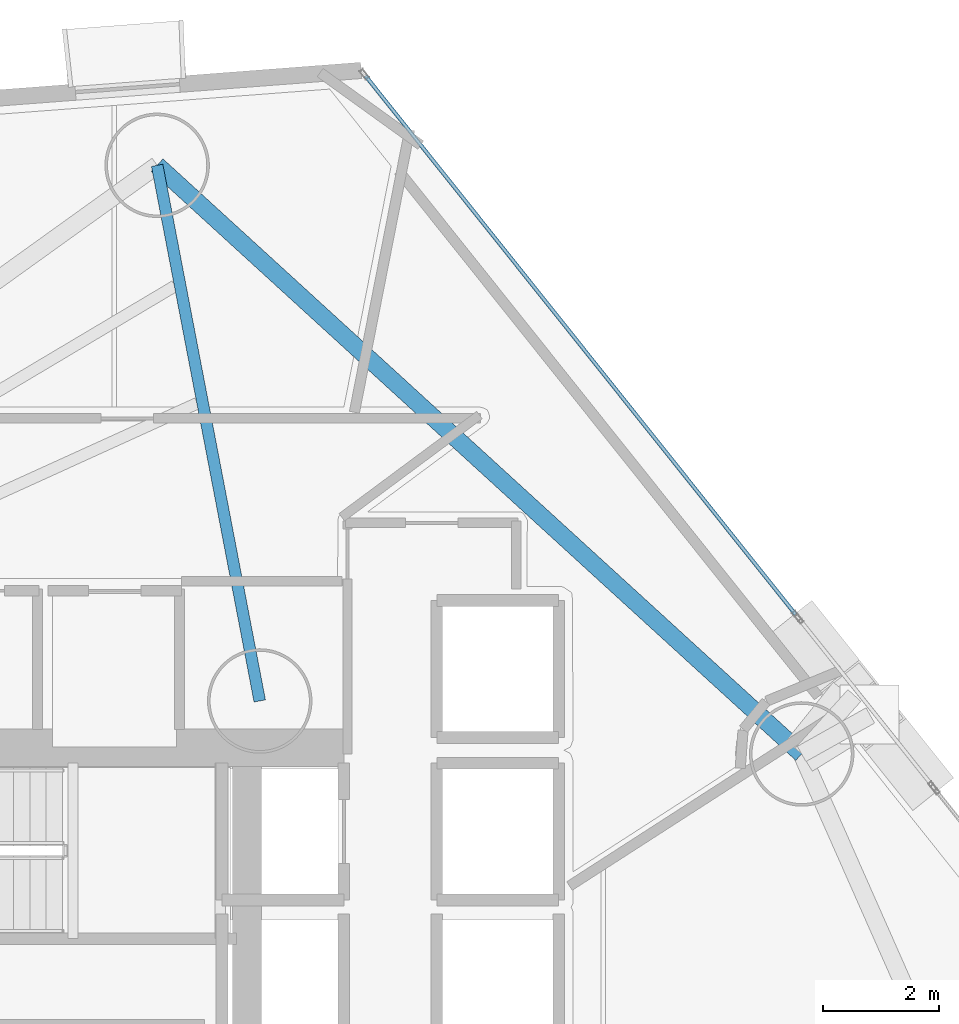
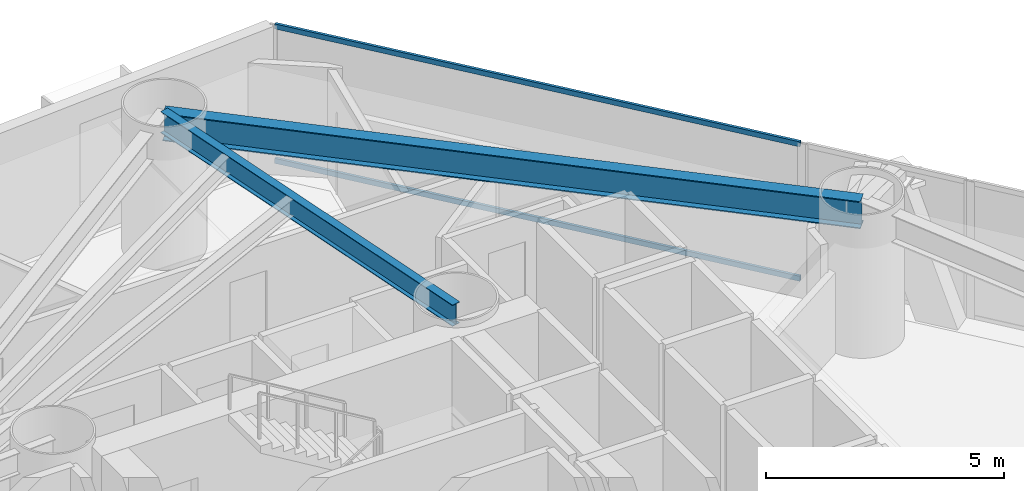
# One storey, part 11 of 23: 2 beams, 2 members, 1 element without a shape of its own.
"""IFC4 building model written with IfcOpenShell, lengths in metres."""

from ifc_helpers import new_model, si_unit, direction, frame, origin, origin_2d, place, context, subcontext, project, spatial, hollow_rectangle, i_section, extrude, material, layer, layer_set, material_profile, profile_set, type_object, element, aggregate, save


model = new_model("IFC4")

# Units and contexts
model_context = context("Model", 3, precision=1e-05, world=origin(), true_north=direction((0.0, 1.0)))
body_context = subcontext(model_context, "Body", "Model", "MODEL_VIEW")
ifc_project = project(units=[si_unit("LENGTHUNIT", "METRE"), si_unit("AREAUNIT", "SQUARE_METRE"), si_unit("VOLUMEUNIT", "CUBIC_METRE"), si_unit("PLANEANGLEUNIT", "RADIAN"), si_unit("MASSUNIT", "GRAM", prefix="KILO")], contexts=[model_context])

# Site, building, storey
site_placement = place(None, origin())
site = spatial("IfcSite", under=ifc_project, at=site_placement, CompositionType="ELEMENT")
building_placement = place(site_placement, origin())
building = spatial("IfcBuilding", under=site, at=building_placement, Name="Qianvela Tower", CompositionType="ELEMENT")
storey_placement = place(building_placement, frame((0.0, 0.0, 36.800048828125)))
storey = spatial("IfcBuildingStorey", under=building, at=storey_placement, Name="L08", CompositionType="ELEMENT", Elevation=36.800048828125)

# Beams
ifc_material_1 = material(Name="Steel Q355B", Category="steel")
ifc_material_profile_1 = material_profile(ifc_material_1, i_section(OverallWidth=0.199951171875, OverallDepth=0.550048828125, WebThickness=0.010009765625, FlangeThickness=0.01611328125, at=origin_2d()), Name="HN550x200x10x16")
ifc_profile_set_1 = profile_set([ifc_material_profile_1], Name="Steel Q355B")
beam_type_1 = type_object("IfcBeamType", Name="BM-HN550-GIRD", PredefinedType="BEAM", material=ifc_profile_set_1)
beam_1_placement = place(storey_placement, frame((38.39990234375, 33.550048828125, 3.242919921875), z_axis=(-0.188149597911, 0.982140381415, 0.0), x_axis=(-0.982140381415, -0.188149597911, 0.0)))
element("IfcBeam", 1, at=beam_1_placement, inside=storey, type_object=beam_type_1, Name="L08 Radial Primary Floor Girder 3", PredefinedType="BEAM", context=body_context, shape_type="SweptSolid", body=[
    extrude(i_section(OverallWidth=0.199951171875, OverallDepth=0.550048828125, WebThickness=0.010009765625, FlangeThickness=0.01611328125, at=origin_2d()), origin(), (0.0, 0.0, 1.0), 9.395751953125),
])
ifc_material_2 = material(Name="Steel Q355B", Category="steel")
ifc_material_profile_2 = material_profile(ifc_material_2, i_section(OverallWidth=0.300048828125, OverallDepth=0.699951171875, WebThickness=0.012939453125, FlangeThickness=0.02392578125, at=origin_2d()), Name="HN700x300x13x24")
ifc_profile_set_2 = profile_set([ifc_material_profile_2], Name="Steel Q355B")
beam_type_2 = type_object("IfcBeamType", Name="BM-HN700-SPAND", PredefinedType="SPANDREL", material=ifc_profile_set_2)
beam_2_placement = place(storey_placement, frame((47.736083984375, 32.636962890625, 3.16796875), z_axis=(-0.738396915155, 0.674366366072, 0.0), x_axis=(-0.674366366072, -0.738396915155, 0.0)))
element("IfcBeam", 2, at=beam_2_placement, inside=storey, type_object=beam_type_2, Name="L08 Perimeter Ring Spandrel Girder 2", PredefinedType="SPANDREL", context=body_context, shape_type="SweptSolid", body=[
    extrude(i_section(OverallWidth=0.300048828125, OverallDepth=0.699951171875, WebThickness=0.012939453125, FlangeThickness=0.02392578125, at=origin_2d()), origin(), (0.0, 0.0, 1.0), 15.0380859375),
])

# Curtain wall, members
ifc_material_3 = material(Name="Anodised Architectural Aluminium and Low-E Glass", Category="aluminium")
ifc_layer = layer(ifc_material_3, 0.179931640625)
ifc_layer_set = layer_set([ifc_layer], Name="Anodised Architectural Aluminium and Low-E Glass")
curtain_wall_type = type_object("IfcCurtainWallType", Name="CW-COLIV-Z12", PredefinedType="USERDEFINED", material=ifc_layer_set)
curtain_wall_placement = place(storey_placement, origin())
curtain_wall = element("IfcCurtainWall", 3, at=curtain_wall_placement, inside=storey, type_object=curtain_wall_type, Name="L08 CW-COLIV-Z12 Curtain Wall 02C", ObjectType="CURTAIN_WALL_SYSTEM", PredefinedType="USERDEFINED")
ifc_material_4 = material(Name="Anodised Architectural Aluminium 6063-T6", Category="aluminium")
ifc_material_profile_3 = material_profile(ifc_material_4, hollow_rectangle(XDim=0.06494140625, YDim=0.1298828125, WallThickness=0.00439453125, at=origin_2d()), Name="ALU-TRAN-65x130")
ifc_profile_set_3 = profile_set([ifc_material_profile_3], Name="Anodised Architectural Aluminium 6063-T6")
member_type = type_object("IfcMemberType", Name="CW-COLIV-Z12-TRAN", PredefinedType="USERDEFINED", material=ifc_profile_set_3)
member_1_placement = place(storey_placement, frame((47.629638671875, 35.04248046875, 0.032470703125), z_axis=(-0.623962434324, 0.781454336831, 0.0), x_axis=(-0.781454336831, -0.623962434324, 0.0)))
member_1 = element("IfcMember", 4, at=member_1_placement, type_object=member_type, Name="CW-3 transom 1.1", ObjectType="TRANSOM", PredefinedType="USERDEFINED", context=body_context, shape_type="SweptSolid", body=[
    extrude(hollow_rectangle(XDim=0.06494140625, YDim=0.1298828125, WallThickness=0.00439453125, at=origin_2d()), origin(), (0.0, 0.0, 1.0), 11.871337890625),
])
member_2_placement = place(storey_placement, frame((47.629638671875, 35.04248046875, 3.487548828125), z_axis=(-0.623962434324, 0.781454336831, 0.0), x_axis=(-0.781454336831, -0.623962434324, 0.0)))
member_2 = element("IfcMember", 5, at=member_2_placement, type_object=member_type, Name="CW-3 transom 1.2", ObjectType="TRANSOM", PredefinedType="USERDEFINED", context=body_context, shape_type="SweptSolid", body=[
    extrude(hollow_rectangle(XDim=0.06494140625, YDim=0.1298828125, WallThickness=0.00439453125, at=origin_2d()), origin(), (0.0, 0.0, 1.0), 11.871337890625),
])
aggregate(curtain_wall, [member_1, member_2])

save(model, "model.ifc")
